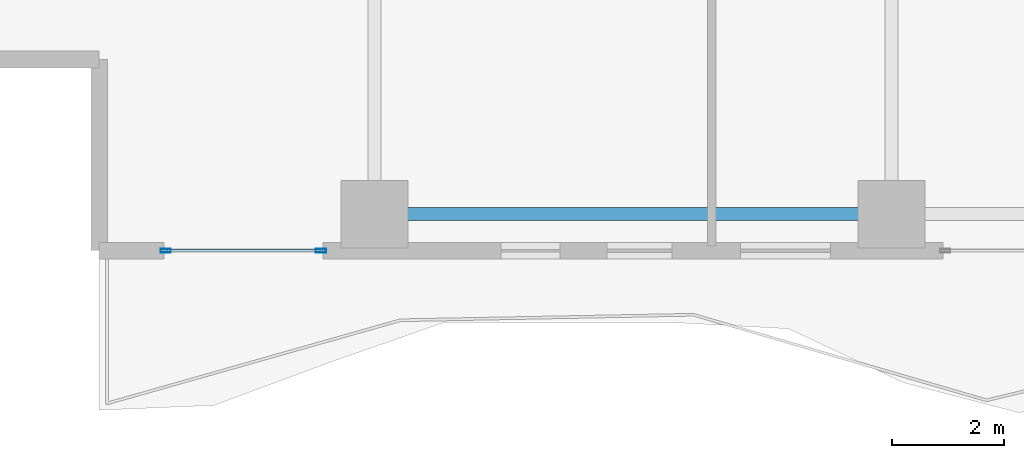
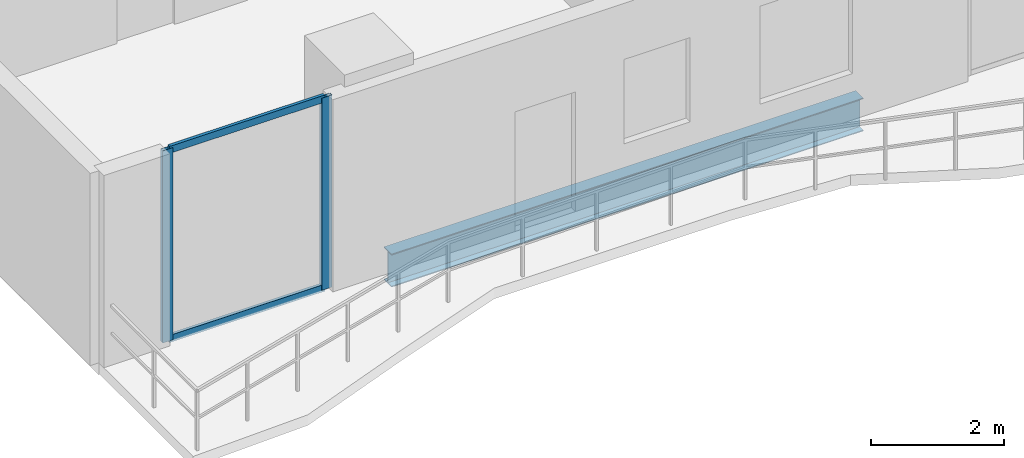
# One storey, part 2 of 32: 4 members, 1 beam, 1 element without a shape of its own.
"""IFC4 building model written with IfcOpenShell, lengths in metres."""

from ifc_helpers import new_model, si_unit, direction, frame, origin, origin_2d, place, context, subcontext, project, spatial, hollow_rectangle, i_section, extrude, material, layer, layer_set, material_profile, profile_set, type_object, element, aggregate, save


model = new_model("IFC4")

# Units and contexts
model_context = context("Model", 3, precision=1e-05, world=origin(), true_north=direction((0.0, 1.0)))
body_context = subcontext(model_context, "Body", "Model", "MODEL_VIEW")
ifc_project = project(units=[si_unit("LENGTHUNIT", "METRE"), si_unit("AREAUNIT", "SQUARE_METRE"), si_unit("VOLUMEUNIT", "CUBIC_METRE"), si_unit("PLANEANGLEUNIT", "RADIAN"), si_unit("MASSUNIT", "GRAM", prefix="KILO")], contexts=[model_context])

# Site, building, storey
site_placement = place(None, origin())
site = spatial("IfcSite", under=ifc_project, at=site_placement, CompositionType="ELEMENT")
building_placement = place(site_placement, origin())
building = spatial("IfcBuilding", under=site, at=building_placement, Name="Zuhayl Quay Hotel", CompositionType="ELEMENT")
storey_placement = place(building_placement, frame((0.0, 0.0, 203.64990234375)))
storey = spatial("IfcBuildingStorey", under=building, at=storey_placement, Name="L51", CompositionType="ELEMENT", Elevation=203.64990234375)

# Beam
ifc_material_1 = material(Name="Steel ASTM A992 Grade 50", Category="steel")
ifc_material_profile_1 = material_profile(ifc_material_1, i_section(OverallWidth=0.22802734375, OverallDepth=0.60693359375, WebThickness=0.01123046875, FlangeThickness=0.017333984375, at=origin_2d()), Name="W24X76")
ifc_profile_set_1 = profile_set([ifc_material_profile_1], Name="Steel ASTM A992 Grade 50")
beam_type = type_object("IfcBeamType", Name="BM_B3_W24X76", PredefinedType="BEAM", material=ifc_profile_set_1)
beam_placement = place(storey_placement, frame((-13.300048828125, -6.949951171875, -0.5234375), z_axis=(1.0, 0.0, 0.0), x_axis=(0.0, 1.0, 0.0)))
element("IfcBeam", 1, at=beam_placement, inside=storey, type_object=beam_type, Name="L51 Floor Beam RG_L51_01", PredefinedType="BEAM", context=body_context, shape_type="SweptSolid", body=[
    extrude(i_section(OverallWidth=0.22802734375, OverallDepth=0.60693359375, WebThickness=0.01123046875, FlangeThickness=0.017333984375, at=origin_2d()), origin(), (0.0, 0.0, 1.0), 8.199951171875),
])

# Curtain wall, members
ifc_material_2 = material(Name="Anodised Aluminium 6063-T6", Category="aluminium")
ifc_layer = layer(ifc_material_2, 0.175048828125, Name="Anodised Aluminium 6063-T6", Category="aluminium")
ifc_layer_set = layer_set([ifc_layer], Name="Anodised Aluminium 6063-T6")
curtain_wall_type = type_object("IfcCurtainWallType", Name="CW_SYS_Z3", PredefinedType="USERDEFINED", material=ifc_layer_set)
curtain_wall_placement = place(storey_placement, origin())
curtain_wall = element("IfcCurtainWall", 2, at=curtain_wall_placement, inside=storey, type_object=curtain_wall_type, Name="L51 Curtain Wall ENV_L51_S_CW5", ObjectType="UNITISED CURTAIN WALL", PredefinedType="USERDEFINED")
ifc_material_3 = material(Name="Black-anodised aluminium 6063-T6", Category="aluminium")
ifc_material_profile_2 = material_profile(ifc_material_3, hollow_rectangle(XDim=0.06494140625, YDim=0.179931640625, WallThickness=0.00341796875, at=origin_2d()), Name="ALU180X65")
ifc_profile_set_2 = profile_set([ifc_material_profile_2], Name="Black-anodised aluminium 6063-T6")
member_type_1 = type_object("IfcMemberType", Name="MB_CW_MUL_180", PredefinedType="MULLION", material=ifc_profile_set_2)
member_1_placement = place(storey_placement, frame((-14.75244140625, -7.60009765625, 0.0), z_axis=(0.0, 0.0, 1.0), x_axis=(0.0, -1.0, 0.0)))
member_1 = element("IfcMember", 3, at=member_1_placement, type_object=member_type_1, Name="CW-Z3 mullion 1", PredefinedType="MULLION", context=body_context, shape_type="SweptSolid", body=[
    extrude(hollow_rectangle(XDim=0.06494140625, YDim=0.179931640625, WallThickness=0.00341796875, at=origin_2d()), origin(), (0.0, 0.0, 1.0), 3.530029296875),
])
member_2_placement = place(storey_placement, frame((-17.517578125, -7.60009765625, 0.0), z_axis=(0.0, 0.0, 1.0), x_axis=(0.0, -1.0, 0.0)))
member_2 = element("IfcMember", 4, at=member_2_placement, type_object=member_type_1, Name="CW-Z3 mullion 2", PredefinedType="MULLION", context=body_context, shape_type="SweptSolid", body=[
    extrude(hollow_rectangle(XDim=0.06494140625, YDim=0.179931640625, WallThickness=0.00341796875, at=origin_2d()), origin(), (0.0, 0.0, 1.0), 3.530029296875),
])
ifc_material_profile_3 = material_profile(ifc_material_3, hollow_rectangle(XDim=0.054931640625, YDim=0.1298828125, WallThickness=0.0029296875, at=origin_2d()), Name="ALU130X55")
ifc_profile_set_3 = profile_set([ifc_material_profile_3], Name="Black-anodised aluminium 6063-T6")
member_type_2 = type_object("IfcMemberType", Name="MB_CW_TRN_130", PredefinedType="USERDEFINED", material=ifc_profile_set_3)
member_3_placement = place(storey_placement, frame((-14.784912109375, -7.60009765625, 0.027587890625), z_axis=(-1.0, 0.0, 0.0), x_axis=(0.0, -1.0, 0.0)))
member_3 = element("IfcMember", 5, at=member_3_placement, type_object=member_type_2, Name="CW-Z3 transom 1.1", ObjectType="TRANSOM", PredefinedType="USERDEFINED", context=body_context, shape_type="SweptSolid", body=[
    extrude(hollow_rectangle(XDim=0.054931640625, YDim=0.1298828125, WallThickness=0.0029296875, at=origin_2d()), origin(), (0.0, 0.0, 1.0), 2.7001953125),
])
member_4_placement = place(storey_placement, frame((-14.784912109375, -7.60009765625, 3.502685546875), z_axis=(-1.0, 0.0, 0.0), x_axis=(0.0, -1.0, 0.0)))
member_4 = element("IfcMember", 6, at=member_4_placement, type_object=member_type_2, Name="CW-Z3 transom 1.2", ObjectType="TRANSOM", PredefinedType="USERDEFINED", context=body_context, shape_type="SweptSolid", body=[
    extrude(hollow_rectangle(XDim=0.054931640625, YDim=0.1298828125, WallThickness=0.0029296875, at=origin_2d()), origin(), (0.0, 0.0, 1.0), 2.7001953125),
])
aggregate(curtain_wall, [member_1, member_2, member_3, member_4])

save(model, "model.ifc")
